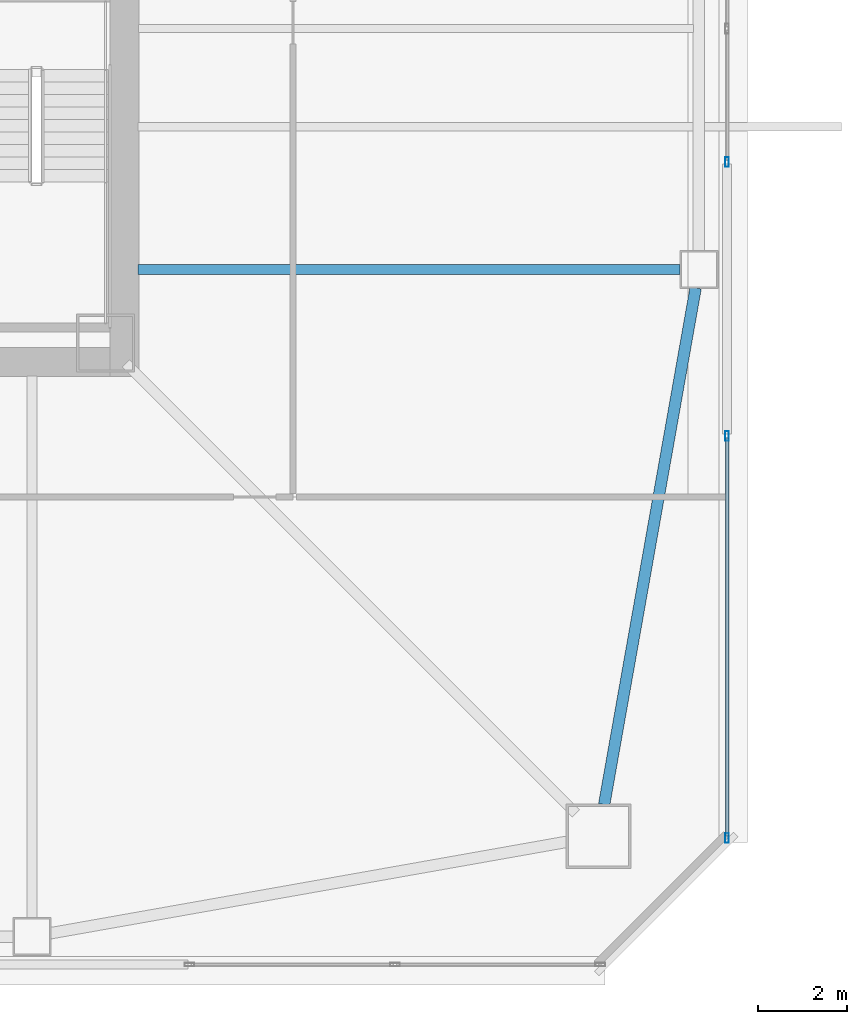
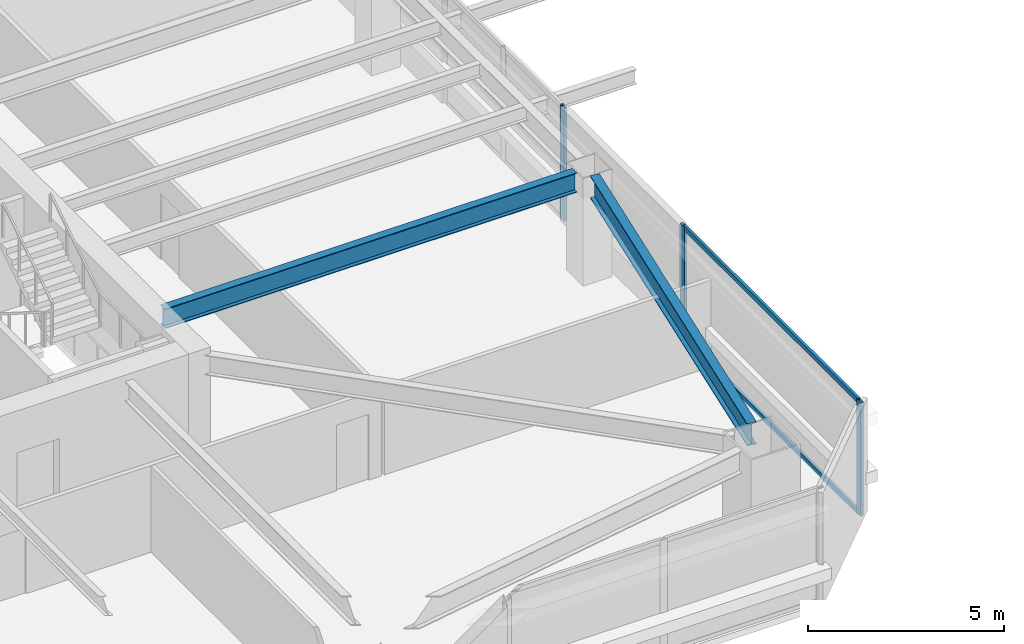
# One storey, part 9 of 44: 5 members, 2 beams, 2 elements without a shape of their own.
"""IFC4 building model written with IfcOpenShell, lengths in metres."""

from ifc_helpers import new_model, si_unit, direction, frame, origin, origin_2d, place, context, subcontext, project, spatial, hollow_rectangle, i_section, extrude, material, material_profile, profile_set, type_object, element, aggregate, save


model = new_model("IFC4")

# Units and contexts
model_context = context("Model", 3, precision=1e-05, world=origin(), true_north=direction((0.0, 1.0)))
body_context = subcontext(model_context, "Body", "Model", "MODEL_VIEW")
ifc_project = project(units=[si_unit("LENGTHUNIT", "METRE"), si_unit("AREAUNIT", "SQUARE_METRE"), si_unit("VOLUMEUNIT", "CUBIC_METRE"), si_unit("PLANEANGLEUNIT", "RADIAN"), si_unit("MASSUNIT", "GRAM", prefix="KILO")], contexts=[model_context])

# Site, building, storey
site_placement = place(None, origin())
site = spatial("IfcSite", under=ifc_project, at=site_placement, CompositionType="ELEMENT")
building_placement = place(site_placement, origin())
building = spatial("IfcBuilding", under=site, at=building_placement, Name="Tashvorn Skyway Center", CompositionType="ELEMENT")
storey_placement = place(building_placement, frame((0.0, 0.0, 95.60009765625)))
storey = spatial("IfcBuildingStorey", under=building, at=storey_placement, Name="L25", CompositionType="ELEMENT", Elevation=95.60009765625)

# Beams
ifc_material_1 = material(Name="Steel ASTM A992 Grade 50", Category="steel")
ifc_material_profile_1 = material_profile(ifc_material_1, i_section(OverallWidth=0.22998046875, OverallDepth=0.616943359375, WebThickness=0.01318359375, FlangeThickness=0.022216796875, at=origin_2d()), Name="W24X94")
ifc_profile_set_1 = profile_set([ifc_material_profile_1], Name="Steel ASTM A992 Grade 50")
beam_type_1 = type_object("IfcBeamType", Name="BM-BEAM-W24X94", PredefinedType="BEAM", material=ifc_profile_set_1)
beam_1_placement = place(storey_placement, frame((61.929931640625, 26.60009765625, 3.04150390625), z_axis=(-1.0, 0.0, 0.0), x_axis=(0.0, -1.0, 0.0)))
element("IfcBeam", 1, at=beam_1_placement, inside=storey, type_object=beam_type_1, Name="Tower 1 L25 Primary Floor Girder FC-E1", PredefinedType="BEAM", context=body_context, shape_type="SweptSolid", body=[
    extrude(i_section(OverallWidth=0.22998046875, OverallDepth=0.616943359375, WebThickness=0.01318359375, FlangeThickness=0.022216796875, at=origin_2d()), origin(), (0.0, 0.0, 1.0), 12.14990234375),
])
ifc_material_profile_2 = material_profile(ifc_material_1, i_section(OverallWidth=0.256103515625, OverallDepth=0.693115234375, WebThickness=0.014404296875, FlangeThickness=0.023681640625, at=origin_2d()), Name="W27X114")
ifc_profile_set_2 = profile_set([ifc_material_profile_2], Name="Steel ASTM A992 Grade 50")
beam_type_2 = type_object("IfcBeamType", Name="BM-SPANDREL-W27X114", PredefinedType="SPANDREL", material=ifc_profile_set_2)
beam_2_placement = place(storey_placement, frame((60.2255859375, 14.60888671875, 3.00341796875), z_axis=(0.174437966698, 0.98466816531, 0.0), x_axis=(-0.98466816531, 0.174437966698, 0.0)))
element("IfcBeam", 2, at=beam_2_placement, inside=storey, type_object=beam_type_2, Name="Tower 1 L25 Spandrel Beam 04", PredefinedType="SPANDREL", context=body_context, shape_type="SweptSolid", body=[
    extrude(i_section(OverallWidth=0.256103515625, OverallDepth=0.693115234375, WebThickness=0.014404296875, FlangeThickness=0.023681640625, at=origin_2d()), origin(), (0.0, 0.0, 1.0), 11.7578125),
])

# Curtain wall, member
ifc_material_2 = material(Name="Thermally broken bronze-anodized aluminium 6063-T6", Category="aluminium")
curtain_wall_type = type_object("IfcCurtainWallType", Name="CW-CW-Z2", PredefinedType="NOTDEFINED", material=ifc_material_2)
curtain_wall_1_placement = place(storey_placement, origin())
curtain_wall_1 = element("IfcCurtainWall", 3, at=curtain_wall_1_placement, inside=storey, type_object=curtain_wall_type, Name="Tower 1 L25 East Unitised Curtain Wall Glazing Group 2", PredefinedType="NOTDEFINED")
ifc_material_profile_3 = material_profile(ifc_material_2, hollow_rectangle(XDim=0.080078125, YDim=0.219970703125, WallThickness=0.0048828125, at=origin_2d()), Name="ALU-MULL-80x220")
ifc_profile_set_3 = profile_set([ifc_material_profile_3], Name="Thermally broken bronze-anodized aluminium 6063-T6")
member_type_1 = type_object("IfcMemberType", Name="CWM-CW-Z2", PredefinedType="MULLION", material=ifc_profile_set_3)
member_1_placement = place(storey_placement, frame((62.97998046875, 29.010009765625, 0.0), z_axis=(0.0, 0.0, 1.0), x_axis=(1.0, 0.0, 0.0)))
member_1 = element("IfcMember", 4, at=member_1_placement, type_object=member_type_1, Name="CW-Z2 mullion 3", PredefinedType="MULLION", context=body_context, shape_type="SweptSolid", body=[
    extrude(hollow_rectangle(XDim=0.080078125, YDim=0.219970703125, WallThickness=0.0048828125, at=origin_2d()), origin(), (0.0, 0.0, 1.0), 3.5498046875),
])
aggregate(curtain_wall_1, [member_1])

# Curtain wall, members
curtain_wall_2_placement = place(storey_placement, origin())
curtain_wall_2 = element("IfcCurtainWall", 5, at=curtain_wall_2_placement, inside=storey, type_object=curtain_wall_type, Name="Tower 1 L25 East Unitised Curtain Wall Glazing Group 3", PredefinedType="NOTDEFINED")
member_2_placement = place(storey_placement, frame((62.97998046875, 22.8701171875, 0.0), z_axis=(0.0, 0.0, 1.0), x_axis=(1.0, 0.0, 0.0)))
member_2 = element("IfcMember", 6, at=member_2_placement, type_object=member_type_1, Name="CW-Z2 mullion 1", PredefinedType="MULLION", context=body_context, shape_type="SweptSolid", body=[
    extrude(hollow_rectangle(XDim=0.080078125, YDim=0.219970703125, WallThickness=0.0048828125, at=origin_2d()), origin(), (0.0, 0.0, 1.0), 3.5498046875),
])
member_3_placement = place(storey_placement, frame((62.97998046875, 13.860107421875, 0.0), z_axis=(0.0, 0.0, 1.0), x_axis=(1.0, 0.0, 0.0)))
member_3 = element("IfcMember", 7, at=member_3_placement, type_object=member_type_1, Name="CW-Z2 mullion 2", PredefinedType="MULLION", context=body_context, shape_type="SweptSolid", body=[
    extrude(hollow_rectangle(XDim=0.080078125, YDim=0.219970703125, WallThickness=0.0048828125, at=origin_2d()), origin(), (0.0, 0.0, 1.0), 3.5498046875),
])
ifc_material_profile_4 = material_profile(ifc_material_2, hollow_rectangle(XDim=0.080078125, YDim=0.14990234375, WallThickness=0.00439453125, at=origin_2d()), Name="ALU-TRAN-80x150")
ifc_profile_set_4 = profile_set([ifc_material_profile_4], Name="Thermally broken bronze-anodized aluminium 6063-T6")
member_type_2 = type_object("IfcMemberType", Name="CWT-CW-Z2", PredefinedType="USERDEFINED", material=ifc_profile_set_4)
member_4_placement = place(storey_placement, frame((62.97998046875, 22.830078125, 0.039794921875), z_axis=(0.0, -1.0, 0.0), x_axis=(1.0, 0.0, 0.0)))
member_4 = element("IfcMember", 8, at=member_4_placement, type_object=member_type_2, Name="CW-Z2 transom 1.1", ObjectType="TRANSOM", PredefinedType="USERDEFINED", context=body_context, shape_type="SweptSolid", body=[
    extrude(hollow_rectangle(XDim=0.080078125, YDim=0.14990234375, WallThickness=0.00439453125, at=origin_2d()), origin(), (0.0, 0.0, 1.0), 8.93017578125),
])
member_5_placement = place(storey_placement, frame((62.97998046875, 22.830078125, 3.510009765625), z_axis=(0.0, -1.0, 0.0), x_axis=(1.0, 0.0, 0.0)))
member_5 = element("IfcMember", 9, at=member_5_placement, type_object=member_type_2, Name="CW-Z2 transom 1.2", ObjectType="TRANSOM", PredefinedType="USERDEFINED", context=body_context, shape_type="SweptSolid", body=[
    extrude(hollow_rectangle(XDim=0.080078125, YDim=0.14990234375, WallThickness=0.00439453125, at=origin_2d()), origin(), (0.0, 0.0, 1.0), 8.93017578125),
])
aggregate(curtain_wall_2, [member_2, member_3, member_4, member_5])

save(model, "model.ifc")
